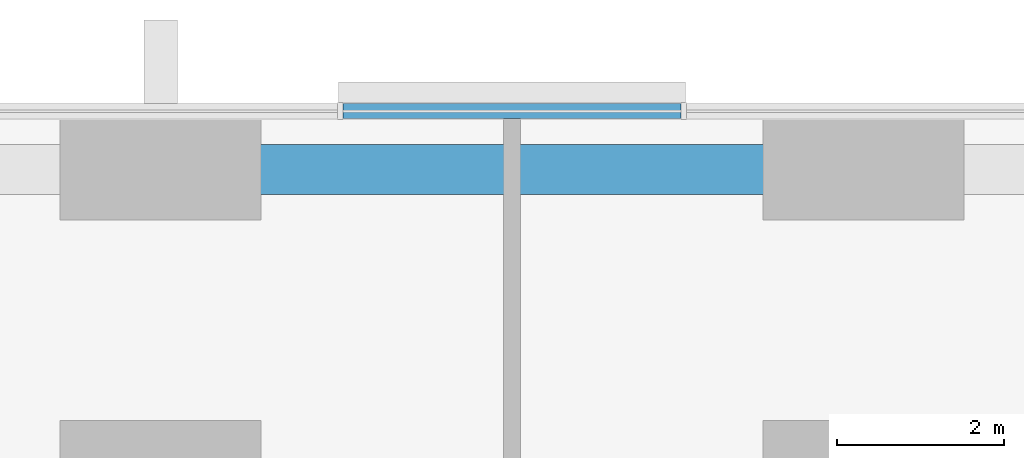
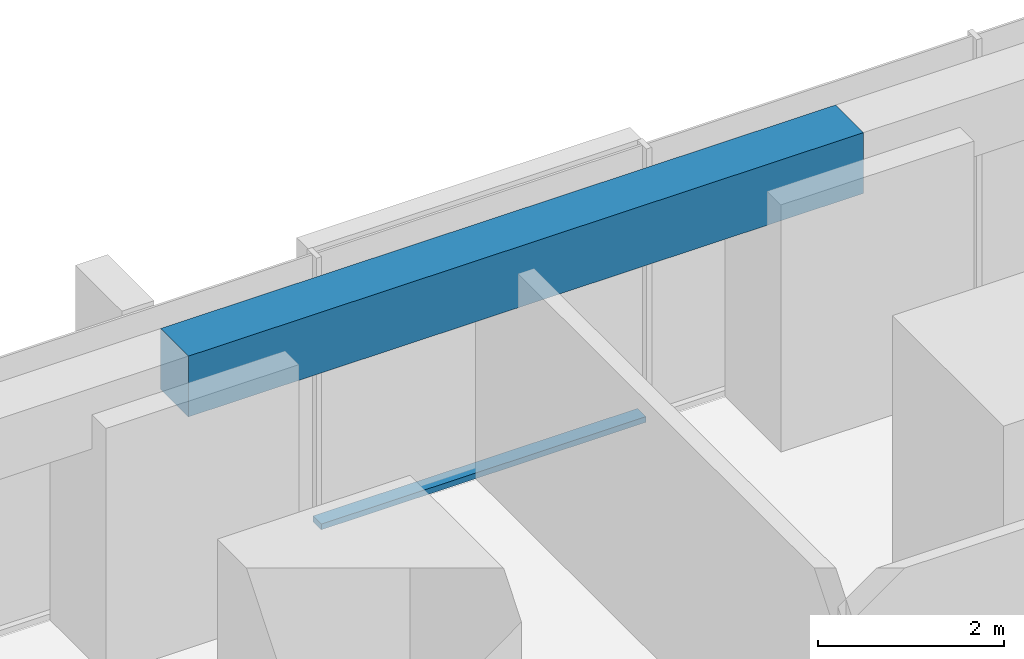
# One storey, part 7 of 17: 1 beam, 1 member, 1 element without a shape of its own.
"""IFC4 building model written with IfcOpenShell, lengths in metres."""

from ifc_helpers import new_model, si_unit, direction, frame, origin, origin_2d, place, context, subcontext, project, spatial, rectangle, extrude, material, material_profile, profile_set, type_object, element, aggregate, save


model = new_model("IFC4")

# Units and contexts
model_context = context("Model", 3, precision=1e-05, world=origin(), true_north=direction((0.0, 1.0)))
body_context = subcontext(model_context, "Body", "Model", "MODEL_VIEW")
ifc_project = project(units=[si_unit("LENGTHUNIT", "METRE"), si_unit("AREAUNIT", "SQUARE_METRE"), si_unit("VOLUMEUNIT", "CUBIC_METRE"), si_unit("PLANEANGLEUNIT", "RADIAN"), si_unit("MASSUNIT", "GRAM", prefix="KILO")], contexts=[model_context])

# Site, building, storey
site_placement = place(None, origin())
site = spatial("IfcSite", under=ifc_project, at=site_placement, CompositionType="ELEMENT")
building_placement = place(site_placement, origin())
building = spatial("IfcBuilding", under=site, at=building_placement, Name="Dunama Terrace Hotel", CompositionType="ELEMENT")
storey_placement = place(building_placement, frame((0.0, 0.0, 81.0)))
storey = spatial("IfcBuildingStorey", under=building, at=storey_placement, Name="L20", CompositionType="ELEMENT", Elevation=81.0)

# Curtain wall, member
ifc_material_1 = material(Name="Aluminium curtain wall system", Category="aluminium")
curtain_wall_type = type_object("IfcCurtainWallType", Name="Unitised fritted glass wall CW-A", PredefinedType="NOTDEFINED", material=ifc_material_1)
curtain_wall_placement = place(storey_placement, origin())
curtain_wall = element("IfcCurtainWall", 1, at=curtain_wall_placement, inside=storey, type_object=curtain_wall_type, Name="Unitised fritted glass wall CW-A L20", PredefinedType="NOTDEFINED")
ifc_material_2 = material(Name="Aluminium transom", Category="aluminium")
ifc_material_profile_1 = material_profile(ifc_material_2, rectangle(XDim=0.179931640625, YDim=0.074951171875, at=origin_2d()), Name="CWA TRANSOM 180X75")
ifc_profile_set_1 = profile_set([ifc_material_profile_1], Name="Aluminium transom")
member_type = type_object("IfcMemberType", Name="CWA transom 180x75", PredefinedType="USERDEFINED", material=ifc_profile_set_1)
member_placement = place(storey_placement, frame((31.4208984375, 58.89990234375, 0.03759765625), z_axis=(-1.0, 0.0, 0.0), x_axis=(0.0, -1.0, 0.0)))
member = element("IfcMember", 2, at=member_placement, type_object=member_type, Name="CWA transom", ObjectType="TRANSOM", PredefinedType="USERDEFINED", context=body_context, shape_type="SweptSolid", body=[
    extrude(rectangle(XDim=0.179931640625, YDim=0.074951171875, at=origin_2d()), origin(), (0.0, 0.0, 1.0), 4.0419921875),
])
aggregate(curtain_wall, [member])

# Beam
ifc_material_3 = material(Name="Concrete C40/50", Category="concrete")
ifc_material_profile_2 = material_profile(ifc_material_3, rectangle(XDim=0.60009765625, YDim=0.800048828125, at=origin_2d()), Name="RC 600x800")
ifc_profile_set_2 = profile_set([ifc_material_profile_2], Name="Concrete C40/50")
beam_type = type_object("IfcBeamType", Name="Edge beam RC 600x800", PredefinedType="SPANDREL", material=ifc_profile_set_2)
beam_placement = place(storey_placement, frame((25.199951171875, 58.199951171875, 3.199951171875), z_axis=(1.0, 0.0, 0.0), x_axis=(0.0, 1.0, 0.0)))
element("IfcBeam", 3, at=beam_placement, inside=storey, type_object=beam_type, Name="Edge beam under L21", PredefinedType="SPANDREL", context=body_context, shape_type="SweptSolid", body=[
    extrude(rectangle(XDim=0.60009765625, YDim=0.800048828125, at=origin_2d()), origin(), (0.0, 0.0, 1.0), 8.400146484375),
])

save(model, "model.ifc")
